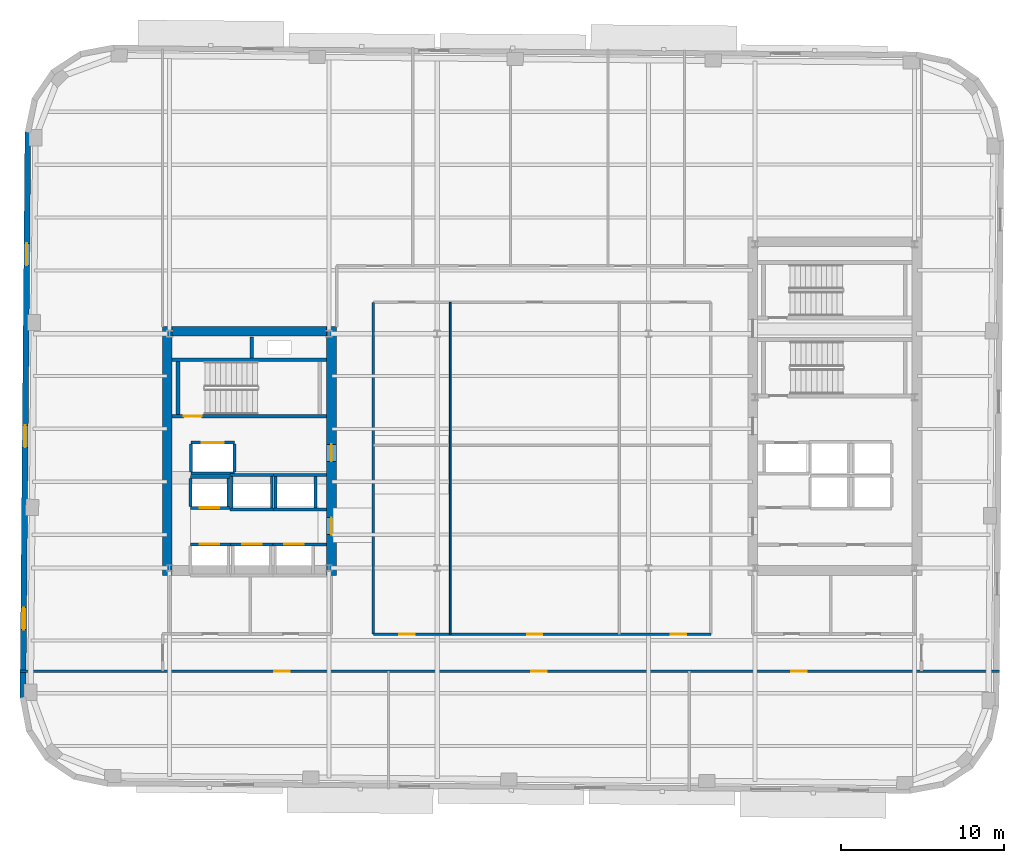
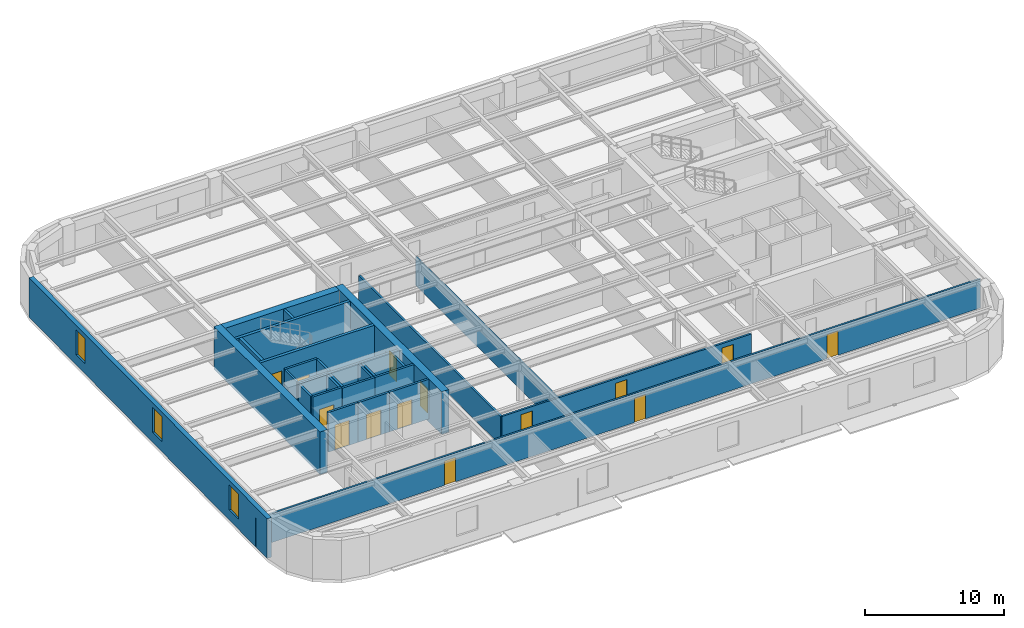
# One storey, part 4 of 11: 31 walls, 14 doors, 3 windows, 17 openings.
"""IFC4 building model written with IfcOpenShell, lengths in metres."""

from ifc_helpers import new_model, si_unit, direction, frame, frame_2d, origin, place, context, subcontext, project, spatial, rectangle, extrude, material, layer, layer_set, type_object, element, fill, save


model = new_model("IFC4")

# Units and contexts
model_context = context("Model", 3, precision=1e-05, world=origin(), true_north=direction((0.0, 1.0)))
body_context = subcontext(model_context, "Body", "Model", "MODEL_VIEW")
ifc_project = project(units=[si_unit("LENGTHUNIT", "METRE"), si_unit("AREAUNIT", "SQUARE_METRE"), si_unit("VOLUMEUNIT", "CUBIC_METRE"), si_unit("PLANEANGLEUNIT", "RADIAN"), si_unit("MASSUNIT", "GRAM", prefix="KILO")], contexts=[model_context])

# Site, building, storey
site_placement = place(None, origin())
site = spatial("IfcSite", under=ifc_project, at=site_placement, CompositionType="ELEMENT")
building_placement = place(site_placement, origin())
building = spatial("IfcBuilding", under=site, at=building_placement, Name="Kolvaren Arena Tower", CompositionType="ELEMENT")
storey_placement = place(building_placement, frame((0.0, 0.0, 169.699951171875)))
storey = spatial("IfcBuildingStorey", under=building, at=storey_placement, Name="L40", CompositionType="ELEMENT", Elevation=169.699951171875)

# Wall, openings, doors
ifc_material_1 = material(Name="Gypsum board acoustic assembly", Category="gypsum")
ifc_layer_1 = layer(ifc_material_1, 0.159912109375)
ifc_layer_set_1 = layer_set([ifc_layer_1], Name="Gypsum board acoustic assembly")
wall_type_1 = type_object("IfcWallType", Name="CORR-160", PredefinedType="PARTITIONING", material=ifc_layer_set_1)
wall_1_placement = place(storey_placement, frame((5.363525390625, 13.10009765625, 0.0), z_axis=(0.0, 0.0, 1.0), x_axis=(1.0, 0.0, 0.0)))
wall_1 = element("IfcWall", 1, at=wall_1_placement, inside=storey, type_object=wall_type_1, Name="Interior Partition Wall (L40)", PredefinedType="PARTITIONING", context=body_context, shape_type="SweptSolid", body=[
    extrude(rectangle(XDim=60.202392578125, YDim=0.159912109375, at=frame_2d((30.10107421875, 0.0))), origin(), (0.0, 0.0, 1.0), 2.5400390625),
])
opening_1_placement = place(wall_1_placement, frame((15.611328125, 0.0, 0.0)))
opening_1 = element("IfcOpeningElement", 2, at=opening_1_placement, cuts=wall_1, Name="Opening D05", PredefinedType="OPENING", context=body_context, shape_type="SweptSolid", body=[
    extrude(rectangle(XDim=0.949951171875, YDim=2.14990234375, at=frame_2d((0.47509765625, 1.074951171875))), frame((0.0, 0.08984375, 0.0), z_axis=(0.0, -1.0, 0.0), x_axis=(1.0, 0.0, 0.0)), (0.0, 0.0, 1.0), 0.179931640625),
])
opening_2_placement = place(wall_1_placement, frame((31.411376953125, 0.0, 0.0)))
opening_2 = element("IfcOpeningElement", 3, at=opening_2_placement, cuts=wall_1, Name="Opening D05", PredefinedType="OPENING", context=body_context, shape_type="SweptSolid", body=[
    extrude(rectangle(XDim=0.949951171875, YDim=2.14990234375, at=frame_2d((0.47509765625, 1.074951171875))), frame((0.0, 0.08984375, 0.0), z_axis=(0.0, -1.0, 0.0), x_axis=(1.0, 0.0, 0.0)), (0.0, 0.0, 1.0), 0.179931640625),
])
opening_3_placement = place(wall_1_placement, frame((47.411376953125, 0.0, 0.0)))
opening_3 = element("IfcOpeningElement", 4, at=opening_3_placement, cuts=wall_1, Name="Opening D05", PredefinedType="OPENING", context=body_context, shape_type="SweptSolid", body=[
    extrude(rectangle(XDim=0.949951171875, YDim=2.14990234375, at=frame_2d((0.47509765625, 1.074951171875))), frame((0.0, 0.08984375, 0.0), z_axis=(0.0, -1.0, 0.0), x_axis=(1.0, 0.0, 0.0)), (0.0, 0.0, 1.0), 0.179931640625),
])
ifc_material_2 = material(Name="Solid-core oak acoustic office door", Category="wood")
door_type_1 = type_object("IfcDoorType", Name="DOOR-OF-095", OperationType="NOTDEFINED", PredefinedType="DOOR", material=ifc_material_2)
door_1_placement = place(opening_1_placement, origin())
door_1 = element("IfcDoor", 5, at=door_1_placement, inside=storey, type_object=door_type_1, Name="Tenant Reception Area Door (L40)", OperationType="SINGLE_SWING_RIGHT", OverallHeight=2.14990234375, OverallWidth=0.949951171875, PredefinedType="DOOR", context=body_context, shape_type="SweptSolid", body=[
    extrude(rectangle(XDim=0.949951171875, YDim=2.14990234375, at=frame_2d((0.47509765625, 1.074951171875))), frame((0.0, 0.02490234375, 0.0), z_axis=(0.0, -1.0, 0.0), x_axis=(1.0, 0.0, 0.0)), (0.0, 0.0, 1.0), 0.050048828125),
])
fill(opening_1, door_1)
door_2_placement = place(opening_2_placement, origin())
door_2 = element("IfcDoor", 6, at=door_2_placement, inside=storey, type_object=door_type_1, Name="Executive Office Door (L40)", OperationType="SINGLE_SWING_LEFT", OverallHeight=2.14990234375, OverallWidth=0.949951171875, PredefinedType="DOOR", context=body_context, shape_type="SweptSolid", body=[
    extrude(rectangle(XDim=0.949951171875, YDim=2.14990234375, at=frame_2d((0.47509765625, 1.074951171875))), frame((0.0, 0.02490234375, 0.0), z_axis=(0.0, -1.0, 0.0), x_axis=(1.0, 0.0, 0.0)), (0.0, 0.0, 1.0), 0.050048828125),
])
fill(opening_2, door_2)
door_3_placement = place(opening_3_placement, origin())
door_3 = element("IfcDoor", 7, at=door_3_placement, inside=storey, type_object=door_type_1, Name="Open Plan Office Door (L40)", OperationType="SINGLE_SWING_RIGHT", OverallHeight=2.14990234375, OverallWidth=0.949951171875, PredefinedType="DOOR", context=body_context, shape_type="SweptSolid", body=[
    extrude(rectangle(XDim=0.949951171875, YDim=2.14990234375, at=frame_2d((0.47509765625, 1.074951171875))), frame((0.0, 0.02490234375, 0.0), z_axis=(0.0, -1.0, 0.0), x_axis=(1.0, 0.0, 0.0)), (0.0, 0.0, 1.0), 0.050048828125),
])
fill(opening_3, door_3)

wall_2_placement = place(storey_placement, frame((27.080078125, 15.3798828125, 0.0), z_axis=(0.0, 0.0, 1.0), x_axis=(1.0, 0.0, 0.0)))
wall_2 = element("IfcWall", 8, at=wall_2_placement, inside=storey, type_object=wall_type_1, Name="Interior Partition Wall (L40)", PredefinedType="PARTITIONING", context=body_context, shape_type="SweptSolid", body=[
    extrude(rectangle(XDim=20.739990234375, YDim=0.159912109375, at=frame_2d((10.3701171875, 0.0))), origin(), (0.0, 0.0, 1.0), 2.5400390625),
])
opening_4_placement = place(wall_2_placement, frame((1.594970703125, 0.0, 0.0)))
opening_4 = element("IfcOpeningElement", 9, at=opening_4_placement, cuts=wall_2, Name="Opening D05", PredefinedType="OPENING", context=body_context, shape_type="SweptSolid", body=[
    extrude(rectangle(XDim=0.949951171875, YDim=2.14990234375, at=frame_2d((0.47509765625, 1.074951171875))), frame((0.0, 0.08984375, 0.0), z_axis=(0.0, -1.0, 0.0), x_axis=(1.0, 0.0, 0.0)), (0.0, 0.0, 1.0), 0.179931640625),
])
opening_5_placement = place(wall_2_placement, frame((9.445068359375, 0.0, 0.0)))
opening_5 = element("IfcOpeningElement", 10, at=opening_5_placement, cuts=wall_2, Name="Opening D05", PredefinedType="OPENING", context=body_context, shape_type="SweptSolid", body=[
    extrude(rectangle(XDim=0.949951171875, YDim=2.14990234375, at=frame_2d((0.47509765625, 1.074951171875))), frame((0.0, 0.08984375, 0.0), z_axis=(0.0, -1.0, 0.0), x_axis=(1.0, 0.0, 0.0)), (0.0, 0.0, 1.0), 0.179931640625),
])
opening_6_placement = place(wall_2_placement, frame((18.294921875, 0.0, 0.0)))
opening_6 = element("IfcOpeningElement", 11, at=opening_6_placement, cuts=wall_2, Name="Opening D05", PredefinedType="OPENING", context=body_context, shape_type="SweptSolid", body=[
    extrude(rectangle(XDim=0.949951171875, YDim=2.14990234375, at=frame_2d((0.47509765625, 1.074951171875))), frame((0.0, 0.08984375, 0.0), z_axis=(0.0, -1.0, 0.0), x_axis=(1.0, 0.0, 0.0)), (0.0, 0.0, 1.0), 0.179931640625),
])
door_4_placement = place(opening_4_placement, origin())
door_4 = element("IfcDoor", 12, at=door_4_placement, inside=storey, type_object=door_type_1, Name="Copy and Print Room Door (L40)", OperationType="SINGLE_SWING_LEFT", OverallHeight=2.14990234375, OverallWidth=0.949951171875, PredefinedType="DOOR", context=body_context, shape_type="SweptSolid", body=[
    extrude(rectangle(XDim=0.949951171875, YDim=2.14990234375, at=frame_2d((0.47509765625, 1.074951171875))), frame((0.0, 0.02490234375, 0.0), z_axis=(0.0, -1.0, 0.0), x_axis=(1.0, 0.0, 0.0)), (0.0, 0.0, 1.0), 0.050048828125),
])
fill(opening_4, door_4)
door_5_placement = place(opening_5_placement, origin())
door_5 = element("IfcDoor", 13, at=door_5_placement, inside=storey, type_object=door_type_1, Name="Breakout Pantry and Kitchen Door (L40)", OperationType="SINGLE_SWING_LEFT", OverallHeight=2.14990234375, OverallWidth=0.949951171875, PredefinedType="DOOR", context=body_context, shape_type="SweptSolid", body=[
    extrude(rectangle(XDim=0.949951171875, YDim=2.14990234375, at=frame_2d((0.47509765625, 1.074951171875))), frame((0.0, 0.02490234375, 0.0), z_axis=(0.0, -1.0, 0.0), x_axis=(1.0, 0.0, 0.0)), (0.0, 0.0, 1.0), 0.050048828125),
])
fill(opening_5, door_5)
door_6_placement = place(opening_6_placement, origin())
door_6 = element("IfcDoor", 14, at=door_6_placement, inside=storey, type_object=door_type_1, Name="Executive Office Door (L40)", OperationType="SINGLE_SWING_LEFT", OverallHeight=2.14990234375, OverallWidth=0.949951171875, PredefinedType="DOOR", context=body_context, shape_type="SweptSolid", body=[
    extrude(rectangle(XDim=0.949951171875, YDim=2.14990234375, at=frame_2d((0.47509765625, 1.074951171875))), frame((0.0, 0.02490234375, 0.0), z_axis=(0.0, -1.0, 0.0), x_axis=(1.0, 0.0, 0.0)), (0.0, 0.0, 1.0), 0.050048828125),
])
fill(opening_6, door_6)

# Walls
wall_3_placement = place(storey_placement, frame((27.080078125, 15.3798828125, 0.0), z_axis=(0.0, 0.0, 1.0), x_axis=(0.0, 1.0, 0.0)))
element("IfcWall", 15, at=wall_3_placement, inside=storey, type_object=wall_type_1, Name="Interior Partition Wall (L40)", PredefinedType="PARTITIONING", context=body_context, shape_type="SweptSolid", body=[
    extrude(rectangle(XDim=20.400146484375, YDim=0.159912109375, at=frame_2d((10.2001953125, 0.0))), origin(), (0.0, 0.0, 1.0), 2.5400390625),
])
ifc_material_3 = material(Name="Concrete 60 MPa", Category="concrete")
ifc_layer_2 = layer(ifc_material_3, 0.60009765625)
ifc_layer_set_2 = layer_set([ifc_layer_2], Name="Concrete 60 MPa")
wall_type_2 = type_object("IfcWallType", Name="CWALL-600", PredefinedType="SHEAR", material=ifc_layer_set_2)
wall_4_placement = place(storey_placement, frame((14.39990234375, 19.0, -0.27001953125), z_axis=(0.0, 0.0, 1.0), x_axis=(0.0, 1.0, 0.0)))
element("IfcWall", 16, at=wall_4_placement, inside=storey, type_object=wall_type_2, Name="Core Shear Wall WC-WEST (L40)", PredefinedType="SHEAR", context=body_context, shape_type="SweptSolid", body=[
    extrude(rectangle(XDim=15.300048828125, YDim=0.60009765625, at=frame_2d((7.64990234375, 0.0))), origin(), (0.0, 0.0, 1.0), 3.75),
])

# Wall, openings, doors
wall_5_placement = place(storey_placement, frame((24.5, 19.0, -0.27001953125), z_axis=(0.0, 0.0, 1.0), x_axis=(0.0, 1.0, 0.0)))
wall_5 = element("IfcWall", 17, at=wall_5_placement, inside=storey, type_object=wall_type_2, Name="Core Shear Wall WC-EAST (L40)", PredefinedType="SHEAR", context=body_context, shape_type="SweptSolid", body=[
    extrude(rectangle(XDim=15.300048828125, YDim=0.60009765625, at=frame_2d((7.64990234375, 0.0))), origin(), (0.0, 0.0, 1.0), 3.75),
])
opening_7_placement = place(wall_5_placement, frame((2.5, 0.0, 0.27001953125)))
opening_7 = element("IfcOpeningElement", 18, at=opening_7_placement, cuts=wall_5, Name="Opening D04", PredefinedType="OPENING", context=body_context, shape_type="SweptSolid", body=[
    extrude(rectangle(XDim=1.050048828125, YDim=2.14990234375, at=frame_2d((0.52490234375, 1.074951171875))), frame((0.0, 0.31005859375, 0.0), z_axis=(0.0, -1.0, 0.0), x_axis=(1.0, 0.0, 0.0)), (0.0, 0.0, 1.0), 0.6201171875),
])
opening_8_placement = place(wall_5_placement, frame((7.0, 0.0, 0.27001953125)))
opening_8 = element("IfcOpeningElement", 19, at=opening_8_placement, cuts=wall_5, Name="Opening D04", PredefinedType="OPENING", context=body_context, shape_type="SweptSolid", body=[
    extrude(rectangle(XDim=1.050048828125, YDim=2.14990234375, at=frame_2d((0.52490234375, 1.074951171875))), frame((0.0, 0.31005859375, 0.0), z_axis=(0.0, -1.0, 0.0), x_axis=(1.0, 0.0, 0.0)), (0.0, 0.0, 1.0), 0.6201171875),
])
ifc_material_4 = material(Name="Fire-rated steel lobby door", Category="steel")
door_type_2 = type_object("IfcDoorType", Name="DOOR-FF-105", OperationType="NOTDEFINED", PredefinedType="DOOR", material=ifc_material_4)
door_7_placement = place(opening_7_placement, origin())
door_7 = element("IfcDoor", 20, at=door_7_placement, inside=storey, type_object=door_type_2, Name="West Lift Lobby Fire Door (L40)", OperationType="SINGLE_SWING_LEFT", OverallHeight=2.14990234375, OverallWidth=1.050048828125, PredefinedType="DOOR", context=body_context, shape_type="SweptSolid", body=[
    extrude(rectangle(XDim=1.050048828125, YDim=2.14990234375, at=frame_2d((0.52490234375, 1.074951171875))), frame((0.0, 0.02490234375, 0.0), z_axis=(0.0, -1.0, 0.0), x_axis=(1.0, 0.0, 0.0)), (0.0, 0.0, 1.0), 0.050048828125),
])
fill(opening_7, door_7)
door_8_placement = place(opening_8_placement, origin())
door_8 = element("IfcDoor", 21, at=door_8_placement, inside=storey, type_object=door_type_2, Name="West Firefighter Vestibule Door (L40)", OperationType="SINGLE_SWING_RIGHT", OverallHeight=2.14990234375, OverallWidth=1.050048828125, PredefinedType="DOOR", context=body_context, shape_type="SweptSolid", body=[
    extrude(rectangle(XDim=1.050048828125, YDim=2.14990234375, at=frame_2d((0.52490234375, 1.074951171875))), frame((0.0, 0.02490234375, 0.0), z_axis=(0.0, -1.0, 0.0), x_axis=(1.0, 0.0, 0.0)), (0.0, 0.0, 1.0), 0.050048828125),
])
fill(opening_8, door_8)

# Wall
wall_6_placement = place(storey_placement, frame((14.699951171875, 34.0, -0.27001953125), z_axis=(0.0, 0.0, 1.0), x_axis=(1.0, 0.0, 0.0)))
element("IfcWall", 22, at=wall_6_placement, inside=storey, type_object=wall_type_2, Name="Core Shear Wall WC-NORTH (L40)", PredefinedType="SHEAR", context=body_context, shape_type="SweptSolid", body=[
    extrude(rectangle(XDim=9.5, YDim=0.60009765625, at=frame_2d((4.75, 0.0))), origin(), (0.0, 0.0, 1.0), 3.75),
])

# Wall, openings, windows
ifc_material_5 = material(Name="Precast concrete C50/60", Category="concrete")
ifc_layer_3 = layer(ifc_material_5, 0.360107421875)
ifc_layer_set_3 = layer_set([ifc_layer_3], Name="Precast concrete C50/60")
wall_type_3 = type_object("IfcWallType", Name="EXT-PIER2", PredefinedType="SOLIDWALL", material=ifc_layer_set_3)
wall_7_placement = place(storey_placement, frame((5.529296875, 11.461669921875, 0.0), z_axis=(0.0, 0.0, 1.0), x_axis=(0.008727287311, 0.999961916503, 0.0)))
wall_7 = element("IfcWall", 23, at=wall_7_placement, inside=storey, type_object=wall_type_3, Name="Exterior Precast Masonry-Frame Wall (L40)", PredefinedType="SOLIDWALL", context=body_context, shape_type="SweptSolid", body=[
    extrude(rectangle(XDim=34.800048828125, YDim=0.360107421875, at=frame_2d((17.39990234375, 0.0))), origin(), (0.0, 0.0, 1.0), 3.47998046875),
])
opening_9_placement = place(wall_7_placement, frame((4.199951171875, 0.0, 0.8798828125)))
opening_9 = element("IfcOpeningElement", 24, at=opening_9_placement, cuts=wall_7, Name="Opening W04", PredefinedType="OPENING", context=body_context, shape_type="SweptSolid", body=[
    extrude(rectangle(XDim=1.35009765625, YDim=2.199951171875, at=frame_2d((0.675048828125, 1.10009765625))), frame((0.0, 0.18994140625, 0.0), z_axis=(0.0, -1.0, 0.0), x_axis=(1.0, 0.0, 0.0)), (0.0, 0.0, 1.0), 0.380126953125),
])
opening_10_placement = place(wall_7_placement, frame((15.39990234375, 0.0, 0.8798828125)))
opening_10 = element("IfcOpeningElement", 25, at=opening_10_placement, cuts=wall_7, Name="Opening W04", PredefinedType="OPENING", context=body_context, shape_type="SweptSolid", body=[
    extrude(rectangle(XDim=1.35009765625, YDim=2.199951171875, at=frame_2d((0.675048828125, 1.10009765625))), frame((0.0, 0.18994140625, 0.0), z_axis=(0.0, -1.0, 0.0), x_axis=(1.0, 0.0, 0.0)), (0.0, 0.0, 1.0), 0.380126953125),
])
opening_11_placement = place(wall_7_placement, frame((26.60009765625, 0.0, 0.8798828125)))
opening_11 = element("IfcOpeningElement", 26, at=opening_11_placement, cuts=wall_7, Name="Opening W04", PredefinedType="OPENING", context=body_context, shape_type="SweptSolid", body=[
    extrude(rectangle(XDim=1.35009765625, YDim=2.199951171875, at=frame_2d((0.675048828125, 1.10009765625))), frame((0.0, 0.18994140625, 0.0), z_axis=(0.0, -1.0, 0.0), x_axis=(1.0, 0.0, 0.0)), (0.0, 0.0, 1.0), 0.380126953125),
])
ifc_material_6 = material(Name="Triple-glazed curved-facet corner window", Category="glass")
window_type = type_object("IfcWindowType", Name="WIN-CRN-A", PartitioningType="SINGLE_PANEL", PredefinedType="WINDOW", material=ifc_material_6)
window_1_placement = place(opening_9_placement, origin())
window_1 = element("IfcWindow", 27, at=window_1_placement, inside=storey, type_object=window_type, Name="End-Wall Punched Window (L40)", OverallHeight=2.199951171875, OverallWidth=1.35009765625, PartitioningType="SINGLE_PANEL", PredefinedType="WINDOW", context=body_context, shape_type="SweptSolid", body=[
    extrude(rectangle(XDim=1.35009765625, YDim=2.199951171875, at=frame_2d((0.675048828125, 1.10009765625))), frame((0.0, 0.030029296875, 0.0), z_axis=(0.0, -1.0, 0.0), x_axis=(1.0, 0.0, 0.0)), (0.0, 0.0, 1.0), 0.06005859375),
])
fill(opening_9, window_1)
window_2_placement = place(opening_10_placement, origin())
window_2 = element("IfcWindow", 28, at=window_2_placement, inside=storey, type_object=window_type, Name="End-Wall Punched Window (L40)", OverallHeight=2.199951171875, OverallWidth=1.35009765625, PartitioningType="SINGLE_PANEL", PredefinedType="WINDOW", context=body_context, shape_type="SweptSolid", body=[
    extrude(rectangle(XDim=1.35009765625, YDim=2.199951171875, at=frame_2d((0.675048828125, 1.10009765625))), frame((0.0, 0.030029296875, 0.0), z_axis=(0.0, -1.0, 0.0), x_axis=(1.0, 0.0, 0.0)), (0.0, 0.0, 1.0), 0.06005859375),
])
fill(opening_10, window_2)
window_3_placement = place(opening_11_placement, origin())
window_3 = element("IfcWindow", 29, at=window_3_placement, inside=storey, type_object=window_type, Name="End-Wall Punched Window (L40)", OverallHeight=2.199951171875, OverallWidth=1.35009765625, PartitioningType="SINGLE_PANEL", PredefinedType="WINDOW", context=body_context, shape_type="SweptSolid", body=[
    extrude(rectangle(XDim=1.35009765625, YDim=2.199951171875, at=frame_2d((0.675048828125, 1.10009765625))), frame((0.0, 0.030029296875, 0.0), z_axis=(0.0, -1.0, 0.0), x_axis=(1.0, 0.0, 0.0)), (0.0, 0.0, 1.0), 0.06005859375),
])
fill(opening_11, window_3)

# Wall
ifc_material_7 = material(Name="Gypsum board partition assembly", Category="gypsum")
ifc_layer_4 = layer(ifc_material_7, 0.114990234375)
ifc_layer_set_4 = layer_set([ifc_layer_4], Name="Gypsum board partition assembly")
wall_type_4 = type_object("IfcWallType", Name="PART-115", PredefinedType="PARTITIONING", material=ifc_layer_set_4)
wall_8_placement = place(storey_placement, frame((31.800048828125, 15.3798828125, 0.0), z_axis=(0.0, 0.0, 1.0), x_axis=(0.0, 1.0, 0.0)))
element("IfcWall", 30, at=wall_8_placement, inside=storey, type_object=wall_type_4, Name="Interior Partition Wall (L40)", PredefinedType="PARTITIONING", context=body_context, shape_type="SweptSolid", body=[
    extrude(rectangle(XDim=20.400146484375, YDim=0.114990234375, at=frame_2d((10.2001953125, 0.0))), origin(), (0.0, 0.0, 1.0), 2.5400390625),
])

# Wall, opening, door
ifc_material_8 = material(Name="Concrete 45 MPa", Category="concrete")
ifc_layer_5 = layer(ifc_material_8, 0.25)
ifc_layer_set_5 = layer_set([ifc_layer_5], Name="Concrete 45 MPa")
wall_type_5 = type_object("IfcWallType", Name="SHAFT-250", PredefinedType="SOLIDWALL", material=ifc_layer_set_5)
wall_9_placement = place(storey_placement, frame((24.199951171875, 28.780029296875, 0.0), z_axis=(0.0, 0.0, 1.0), x_axis=(-1.0, 0.0, 0.0)))
wall_9 = element("IfcWall", 31, at=wall_9_placement, inside=storey, type_object=wall_type_5, Name="Core Shaft Wall (L40)", PredefinedType="SOLIDWALL", context=body_context, shape_type="SweptSolid", body=[
    extrude(rectangle(XDim=9.5, YDim=0.239990234375, at=frame_2d((4.75, 0.0))), origin(), (0.0, 0.0, 1.0), 3.47998046875),
])
opening_12_placement = place(wall_9_placement, frame((7.679931640625, 0.0, 0.0)))
opening_12 = element("IfcOpeningElement", 32, at=opening_12_placement, cuts=wall_9, Name="Opening D03", PredefinedType="OPENING", context=body_context, shape_type="SweptSolid", body=[
    extrude(rectangle(XDim=1.10009765625, YDim=2.14990234375, at=frame_2d((0.550048828125, 1.074951171875))), frame((0.0, 0.1298828125, 0.0), z_axis=(0.0, -1.0, 0.0), x_axis=(1.0, 0.0, 0.0)), (0.0, 0.0, 1.0), 0.260009765625),
])
ifc_material_9 = material(Name="Fire-rated steel exit stair door", Category="steel")
door_type_3 = type_object("IfcDoorType", Name="DOOR-ST-110", OperationType="NOTDEFINED", PredefinedType="DOOR", material=ifc_material_9)
door_9_placement = place(opening_12_placement, origin())
door_9 = element("IfcDoor", 33, at=door_9_placement, inside=storey, type_object=door_type_3, Name="Stair ST-W1 Fire Door (L40)", OperationType="SINGLE_SWING_RIGHT", OverallHeight=2.14990234375, OverallWidth=1.10009765625, PredefinedType="DOOR", context=body_context, shape_type="SweptSolid", body=[
    extrude(rectangle(XDim=1.10009765625, YDim=2.14990234375, at=frame_2d((0.550048828125, 1.074951171875))), frame((0.0, 0.02490234375, 0.0), z_axis=(0.0, -1.0, 0.0), x_axis=(1.0, 0.0, 0.0)), (0.0, 0.0, 1.0), 0.050048828125),
])
fill(opening_12, door_9)

# Walls
wall_10_placement = place(storey_placement, frame((14.699951171875, 32.25, 0.0), z_axis=(0.0, 0.0, 1.0), x_axis=(1.0, 0.0, 0.0)))
element("IfcWall", 34, at=wall_10_placement, inside=storey, type_object=wall_type_5, Name="Core Shaft Wall (L40)", PredefinedType="SOLIDWALL", context=body_context, shape_type="SweptSolid", body=[
    extrude(rectangle(XDim=9.5, YDim=0.239990234375, at=frame_2d((4.75, 0.0))), origin(), (0.0, 0.0, 1.0), 3.47998046875),
])
wall_11_placement = place(storey_placement, frame((15.06005859375, 28.89990234375, 0.0), z_axis=(0.0, 0.0, 1.0), x_axis=(0.0, 1.0, 0.0)))
element("IfcWall", 35, at=wall_11_placement, inside=storey, type_object=wall_type_5, Name="Core Shaft Wall (L40)", PredefinedType="SOLIDWALL", context=body_context, shape_type="SweptSolid", body=[
    extrude(rectangle(XDim=3.22998046875, YDim=0.239990234375, at=frame_2d((1.614990234375, 0.0))), origin(), (0.0, 0.0, 1.0), 3.47998046875),
])
wall_12_placement = place(storey_placement, frame((19.60009765625, 32.3701171875, 0.0), z_axis=(0.0, 0.0, 1.0), x_axis=(0.0, 1.0, 0.0)))
element("IfcWall", 36, at=wall_12_placement, inside=storey, type_object=wall_type_5, Name="Core Shaft Wall (L40)", PredefinedType="SOLIDWALL", context=body_context, shape_type="SweptSolid", body=[
    extrude(rectangle(XDim=1.27978515625, YDim=0.199951171875, at=frame_2d((0.639892578125, 0.0))), origin(), (0.0, 0.0, 1.0), 3.47998046875),
])

# Wall, opening, door
wall_13_placement = place(storey_placement, frame((15.844970703125, 20.905029296875, 0.0), z_axis=(0.0, 0.0, 1.0), x_axis=(1.0, 0.0, 0.0)))
wall_13 = element("IfcWall", 37, at=wall_13_placement, inside=storey, type_object=wall_type_5, Name="Core Shaft Wall (L40)", PredefinedType="SOLIDWALL", context=body_context, shape_type="SweptSolid", body=[
    extrude(rectangle(XDim=2.455078125, YDim=0.179931640625, at=frame_2d((1.2275390625, 0.0))), origin(), (0.0, 0.0, 1.0), 3.47998046875),
])
opening_13_placement = place(wall_13_placement, frame((0.554931640625, 0.0, 0.0)))
opening_13 = element("IfcOpeningElement", 38, at=opening_13_placement, cuts=wall_13, Name="Opening LD1", PredefinedType="OPENING", context=body_context, shape_type="SweptSolid", body=[
    extrude(rectangle(XDim=1.199951171875, YDim=2.199951171875, at=frame_2d((0.60009765625, 1.10009765625))), frame((0.0, 0.099853515625, 0.0), z_axis=(0.0, -1.0, 0.0), x_axis=(1.0, 0.0, 0.0)), (0.0, 0.0, 1.0), 0.199951171875),
])
ifc_material_10 = material(Name="Stainless steel passenger lift landing door", Category="steel")
door_type_4 = type_object("IfcDoorType", Name="DOOR-LD-120", OperationType="DOUBLE_DOOR_SLIDING", PredefinedType="DOOR", material=ifc_material_10)
door_10_placement = place(opening_13_placement, origin())
door_10 = element("IfcDoor", 39, at=door_10_placement, inside=storey, type_object=door_type_4, Name="Lift EL-MR1 Landing Door (L40)", OperationType="DOUBLE_DOOR_SLIDING", OverallHeight=2.199951171875, OverallWidth=1.199951171875, PredefinedType="DOOR", context=body_context, shape_type="SweptSolid", body=[
    extrude(rectangle(XDim=1.199951171875, YDim=2.199951171875, at=frame_2d((0.60009765625, 1.10009765625))), frame((0.0, 0.02490234375, 0.0), z_axis=(0.0, -1.0, 0.0), x_axis=(1.0, 0.0, 0.0)), (0.0, 0.0, 1.0), 0.050048828125),
])
fill(opening_13, door_10)

wall_14_placement = place(storey_placement, frame((18.300048828125, 20.905029296875, 0.0), z_axis=(0.0, 0.0, 1.0), x_axis=(1.0, 0.0, 0.0)))
wall_14 = element("IfcWall", 40, at=wall_14_placement, inside=storey, type_object=wall_type_5, Name="Core Shaft Wall (L40)", PredefinedType="SOLIDWALL", context=body_context, shape_type="SweptSolid", body=[
    extrude(rectangle(XDim=2.599853515625, YDim=0.179931640625, at=frame_2d((1.2998046875, 0.0))), origin(), (0.0, 0.0, 1.0), 3.47998046875),
])
opening_14_placement = place(wall_14_placement, frame((0.699951171875, 0.0, 0.0)))
opening_14 = element("IfcOpeningElement", 41, at=opening_14_placement, cuts=wall_14, Name="Opening LD1", PredefinedType="OPENING", context=body_context, shape_type="SweptSolid", body=[
    extrude(rectangle(XDim=1.199951171875, YDim=2.199951171875, at=frame_2d((0.60009765625, 1.10009765625))), frame((0.0, 0.099853515625, 0.0), z_axis=(0.0, -1.0, 0.0), x_axis=(1.0, 0.0, 0.0)), (0.0, 0.0, 1.0), 0.199951171875),
])
door_11_placement = place(opening_14_placement, origin())
door_11 = element("IfcDoor", 42, at=door_11_placement, inside=storey, type_object=door_type_4, Name="Lift EL-MR2 Landing Door (L40)", OperationType="DOUBLE_DOOR_SLIDING", OverallHeight=2.199951171875, OverallWidth=1.199951171875, PredefinedType="DOOR", context=body_context, shape_type="SweptSolid", body=[
    extrude(rectangle(XDim=1.199951171875, YDim=2.199951171875, at=frame_2d((0.60009765625, 1.10009765625))), frame((0.0, 0.02490234375, 0.0), z_axis=(0.0, -1.0, 0.0), x_axis=(1.0, 0.0, 0.0)), (0.0, 0.0, 1.0), 0.050048828125),
])
fill(opening_14, door_11)

wall_15_placement = place(storey_placement, frame((20.89990234375, 20.905029296875, 0.0), z_axis=(0.0, 0.0, 1.0), x_axis=(1.0, 0.0, 0.0)))
wall_15 = element("IfcWall", 43, at=wall_15_placement, inside=storey, type_object=wall_type_5, Name="Core Shaft Wall (L40)", PredefinedType="SOLIDWALL", context=body_context, shape_type="SweptSolid", body=[
    extrude(rectangle(XDim=3.300048828125, YDim=0.179931640625, at=frame_2d((1.64990234375, 0.0))), origin(), (0.0, 0.0, 1.0), 3.47998046875),
])
opening_15_placement = place(wall_15_placement, frame((0.699951171875, 0.0, 0.0)))
opening_15 = element("IfcOpeningElement", 44, at=opening_15_placement, cuts=wall_15, Name="Opening LD1", PredefinedType="OPENING", context=body_context, shape_type="SweptSolid", body=[
    extrude(rectangle(XDim=1.199951171875, YDim=2.199951171875, at=frame_2d((0.60009765625, 1.10009765625))), frame((0.0, 0.099853515625, 0.0), z_axis=(0.0, -1.0, 0.0), x_axis=(1.0, 0.0, 0.0)), (0.0, 0.0, 1.0), 0.199951171875),
])
door_12_placement = place(opening_15_placement, origin())
door_12 = element("IfcDoor", 45, at=door_12_placement, inside=storey, type_object=door_type_4, Name="Lift EL-MR3 Landing Door (L40)", OperationType="DOUBLE_DOOR_SLIDING", OverallHeight=2.199951171875, OverallWidth=1.199951171875, PredefinedType="DOOR", context=body_context, shape_type="SweptSolid", body=[
    extrude(rectangle(XDim=1.199951171875, YDim=2.199951171875, at=frame_2d((0.60009765625, 1.10009765625))), frame((0.0, 0.02490234375, 0.0), z_axis=(0.0, -1.0, 0.0), x_axis=(1.0, 0.0, 0.0)), (0.0, 0.0, 1.0), 0.050048828125),
])
fill(opening_15, door_12)

# Wall
wall_16_placement = place(storey_placement, frame((15.844970703125, 25.054931640625, 0.0), z_axis=(0.0, 0.0, 1.0), x_axis=(1.0, 0.0, 0.0)))
element("IfcWall", 46, at=wall_16_placement, inside=storey, type_object=wall_type_5, Name="Core Shaft Wall (L40)", PredefinedType="SOLIDWALL", context=body_context, shape_type="SweptSolid", body=[
    extrude(rectangle(XDim=2.41748046875, YDim=0.179931640625, at=frame_2d((1.208740234375, 0.0))), origin(), (0.0, 0.0, 1.0), 3.47998046875),
])

# Wall, opening, door
wall_17_placement = place(storey_placement, frame((15.844970703125, 23.14501953125, 0.0), z_axis=(0.0, 0.0, 1.0), x_axis=(1.0, 0.0, 0.0)))
wall_17 = element("IfcWall", 47, at=wall_17_placement, inside=storey, type_object=wall_type_5, Name="Core Shaft Wall (L40)", PredefinedType="SOLIDWALL", context=body_context, shape_type="SweptSolid", body=[
    extrude(rectangle(XDim=2.41748046875, YDim=0.179931640625, at=frame_2d((1.208740234375, 0.0))), origin(), (0.0, 0.0, 1.0), 3.47998046875),
])
opening_16_placement = place(wall_17_placement, frame((0.554931640625, 0.0, 0.0)))
opening_16 = element("IfcOpeningElement", 48, at=opening_16_placement, cuts=wall_17, Name="Opening LD1", PredefinedType="OPENING", context=body_context, shape_type="SweptSolid", body=[
    extrude(rectangle(XDim=1.199951171875, YDim=2.199951171875, at=frame_2d((0.60009765625, 1.10009765625))), frame((0.0, 0.099853515625, 0.0), z_axis=(0.0, -1.0, 0.0), x_axis=(1.0, 0.0, 0.0)), (0.0, 0.0, 1.0), 0.199951171875),
])
door_13_placement = place(opening_16_placement, origin())
door_13 = element("IfcDoor", 49, at=door_13_placement, inside=storey, type_object=door_type_4, Name="Lift EL-MR4 Landing Door (L40)", OperationType="DOUBLE_DOOR_SLIDING", OverallHeight=2.199951171875, OverallWidth=1.199951171875, PredefinedType="DOOR", context=body_context, shape_type="SweptSolid", body=[
    extrude(rectangle(XDim=1.199951171875, YDim=2.199951171875, at=frame_2d((0.60009765625, 1.10009765625))), frame((0.0, 0.02490234375, 0.0), z_axis=(0.0, -1.0, 0.0), x_axis=(1.0, 0.0, 0.0)), (0.0, 0.0, 1.0), 0.050048828125),
])
fill(opening_16, door_13)

# Walls
for number, where, z_axis, x_axis, name in (
    (50, (15.844970703125, 23.235107421875, 0.0), (0.0, 0.0, 1.0), (0.0, 1.0, 0.0), "Core Shaft Wall (L40)"),
    (51, (18.155029296875, 23.235107421875, 0.0), (0.0, 0.0, 1.0), (0.0, 1.0, 0.0), "Core Shaft Wall (L40)"),
):
    element("IfcWall", number, at=place(storey_placement, frame(where, z_axis=z_axis, x_axis=x_axis)), inside=storey, type_object=wall_type_5, Name=name, PredefinedType="SOLIDWALL", context=body_context, shape_type="SweptSolid", body=[
        extrude(rectangle(XDim=1.72998046875, YDim=0.179931640625, at=frame_2d((0.864990234375, 0.0))), origin(), (0.0, 0.0, 1.0), 3.47998046875),
    ])
for number, where, z_axis, x_axis, name in (
    (52, (18.262451171875, 25.155029296875, 0.0), (0.0, 0.0, 1.0), (1.0, 0.0, 0.0), "Core Shaft Wall (L40)"),
    (53, (18.262451171875, 23.044921875, 0.0), (0.0, 0.0, 1.0), (1.0, 0.0, 0.0), "Core Shaft Wall (L40)"),
):
    element("IfcWall", number, at=place(storey_placement, frame(where, z_axis=z_axis, x_axis=x_axis)), inside=storey, type_object=wall_type_5, Name=name, PredefinedType="SOLIDWALL", context=body_context, shape_type="SweptSolid", body=[
        extrude(rectangle(XDim=2.6875, YDim=0.179931640625, at=frame_2d((1.34375, 0.0))), origin(), (0.0, 0.0, 1.0), 3.47998046875),
    ])
for number, where, z_axis, x_axis, name in (
    (54, (18.3701171875, 23.135009765625, 0.0), (0.0, 0.0, 1.0), (0.0, 1.0, 0.0), "Core Shaft Wall (L40)"),
    (55, (20.830078125, 23.135009765625, 0.0), (0.0, 0.0, 1.0), (0.0, 1.0, 0.0), "Core Shaft Wall (L40)"),
):
    element("IfcWall", number, at=place(storey_placement, frame(where, z_axis=z_axis, x_axis=x_axis)), inside=storey, type_object=wall_type_5, Name=name, PredefinedType="SOLIDWALL", context=body_context, shape_type="SweptSolid", body=[
        extrude(rectangle(XDim=1.929931640625, YDim=0.179931640625, at=frame_2d((0.96484375, 0.0))), origin(), (0.0, 0.0, 1.0), 3.47998046875),
    ])
for number, where, z_axis, x_axis, name in (
    (56, (20.949951171875, 25.155029296875, 0.0), (0.0, 0.0, 1.0), (1.0, 0.0, 0.0), "Core Shaft Wall (L40)"),
    (57, (20.949951171875, 23.044921875, 0.0), (0.0, 0.0, 1.0), (1.0, 0.0, 0.0), "Core Shaft Wall (L40)"),
):
    element("IfcWall", number, at=place(storey_placement, frame(where, z_axis=z_axis, x_axis=x_axis)), inside=storey, type_object=wall_type_5, Name=name, PredefinedType="SOLIDWALL", context=body_context, shape_type="SweptSolid", body=[
        extrude(rectangle(XDim=3.25, YDim=0.179931640625, at=frame_2d((1.625, 0.0))), origin(), (0.0, 0.0, 1.0), 3.47998046875),
    ])
for number, where, z_axis, x_axis, name in (
    (58, (21.070068359375, 23.135009765625, 0.0), (0.0, 0.0, 1.0), (0.0, 1.0, 0.0), "Core Shaft Wall (L40)"),
    (59, (23.530029296875, 23.135009765625, 0.0), (0.0, 0.0, 1.0), (0.0, 1.0, 0.0), "Core Shaft Wall (L40)"),
):
    element("IfcWall", number, at=place(storey_placement, frame(where, z_axis=z_axis, x_axis=x_axis)), inside=storey, type_object=wall_type_5, Name=name, PredefinedType="SOLIDWALL", context=body_context, shape_type="SweptSolid", body=[
        extrude(rectangle(XDim=1.929931640625, YDim=0.179931640625, at=frame_2d((0.96484375, 0.0))), origin(), (0.0, 0.0, 1.0), 3.47998046875),
    ])

# Wall, opening, door
wall_18_placement = place(storey_placement, frame((15.8701171875, 27.155029296875, 0.0), z_axis=(0.0, 0.0, 1.0), x_axis=(1.0, 0.0, 0.0)))
wall_18 = element("IfcWall", 60, at=wall_18_placement, inside=storey, type_object=wall_type_5, Name="Core Shaft Wall (L40)", PredefinedType="SOLIDWALL", context=body_context, shape_type="SweptSolid", body=[
    extrude(rectangle(XDim=2.659912109375, YDim=0.179931640625, at=frame_2d((1.330078125, 0.0))), origin(), (0.0, 0.0, 1.0), 3.47998046875),
])
opening_17_placement = place(wall_18_placement, frame((0.655029296875, 0.0, 0.0)))
opening_17 = element("IfcOpeningElement", 61, at=opening_17_placement, cuts=wall_18, Name="Opening LD2", PredefinedType="OPENING", context=body_context, shape_type="SweptSolid", body=[
    extrude(rectangle(XDim=1.35009765625, YDim=2.300048828125, at=frame_2d((0.675048828125, 1.14990234375))), frame((0.0, 0.099853515625, 0.0), z_axis=(0.0, -1.0, 0.0), x_axis=(1.0, 0.0, 0.0)), (0.0, 0.0, 1.0), 0.199951171875),
])
ifc_material_11 = material(Name="Stainless steel firefighter lift landing door", Category="steel")
door_type_5 = type_object("IfcDoorType", Name="DOOR-LD-135", OperationType="DOUBLE_DOOR_SLIDING", PredefinedType="DOOR", material=ifc_material_11)
door_14_placement = place(opening_17_placement, origin())
door_14 = element("IfcDoor", 62, at=door_14_placement, inside=storey, type_object=door_type_5, Name="Firefighter Lift FF-W1 Landing Door (L40)", OperationType="DOUBLE_DOOR_SLIDING", OverallHeight=2.300048828125, OverallWidth=1.35009765625, PredefinedType="DOOR", context=body_context, shape_type="SweptSolid", body=[
    extrude(rectangle(XDim=1.35009765625, YDim=2.300048828125, at=frame_2d((0.675048828125, 1.14990234375))), frame((0.0, 0.02490234375, 0.0), z_axis=(0.0, -1.0, 0.0), x_axis=(1.0, 0.0, 0.0)), (0.0, 0.0, 1.0), 0.050048828125),
])
fill(opening_17, door_14)

# Walls
wall_19_placement = place(storey_placement, frame((15.8701171875, 25.2451171875, 0.0), z_axis=(0.0, 0.0, 1.0), x_axis=(1.0, 0.0, 0.0)))
element("IfcWall", 63, at=wall_19_placement, inside=storey, type_object=wall_type_5, Name="Core Shaft Wall (L40)", PredefinedType="SOLIDWALL", context=body_context, shape_type="SweptSolid", body=[
    extrude(rectangle(XDim=2.659912109375, YDim=0.179931640625, at=frame_2d((1.330078125, 0.0))), origin(), (0.0, 0.0, 1.0), 3.47998046875),
])
for number, where, z_axis, x_axis, name in (
    (64, (15.8701171875, 25.3349609375, 0.0), (0.0, 0.0, 1.0), (0.0, 1.0, 0.0), "Core Shaft Wall (L40)"),
    (65, (18.530029296875, 25.3349609375, 0.0), (0.0, 0.0, 1.0), (0.0, 1.0, 0.0), "Core Shaft Wall (L40)"),
):
    element("IfcWall", number, at=place(storey_placement, frame(where, z_axis=z_axis, x_axis=x_axis)), inside=storey, type_object=wall_type_5, Name=name, PredefinedType="SOLIDWALL", context=body_context, shape_type="SweptSolid", body=[
        extrude(rectangle(XDim=1.72998046875, YDim=0.179931640625, at=frame_2d((0.864990234375, 0.0))), origin(), (0.0, 0.0, 1.0), 3.47998046875),
    ])

save(model, "model.ifc")
